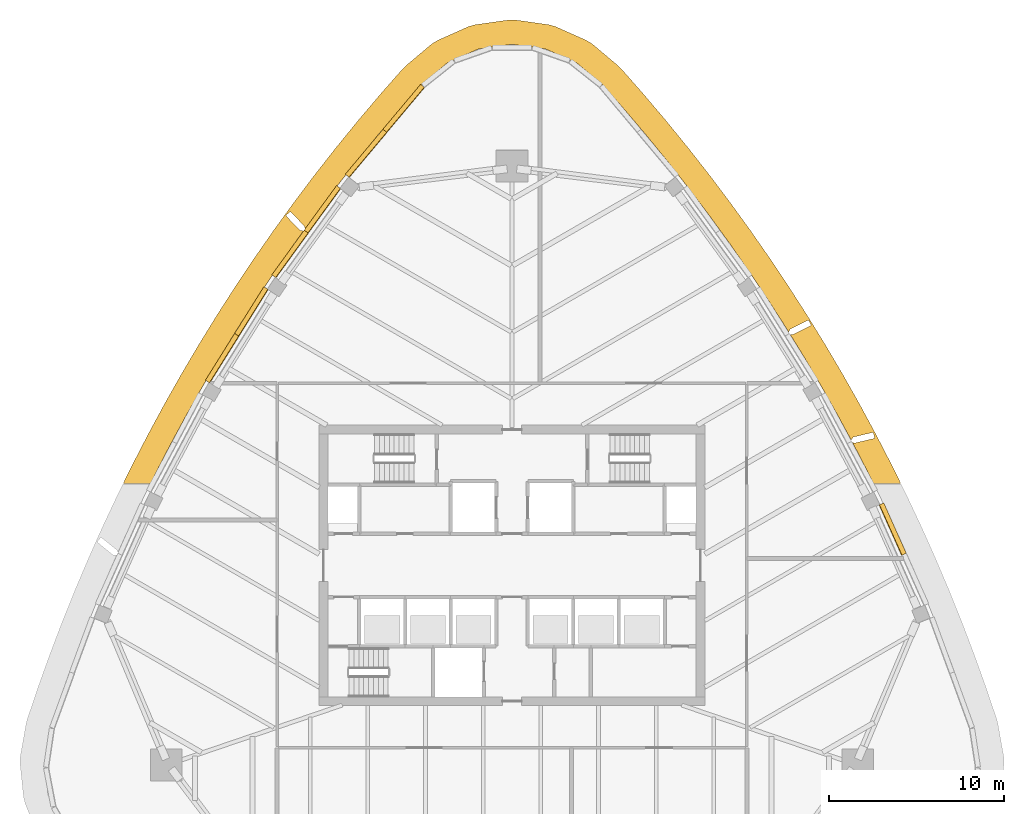
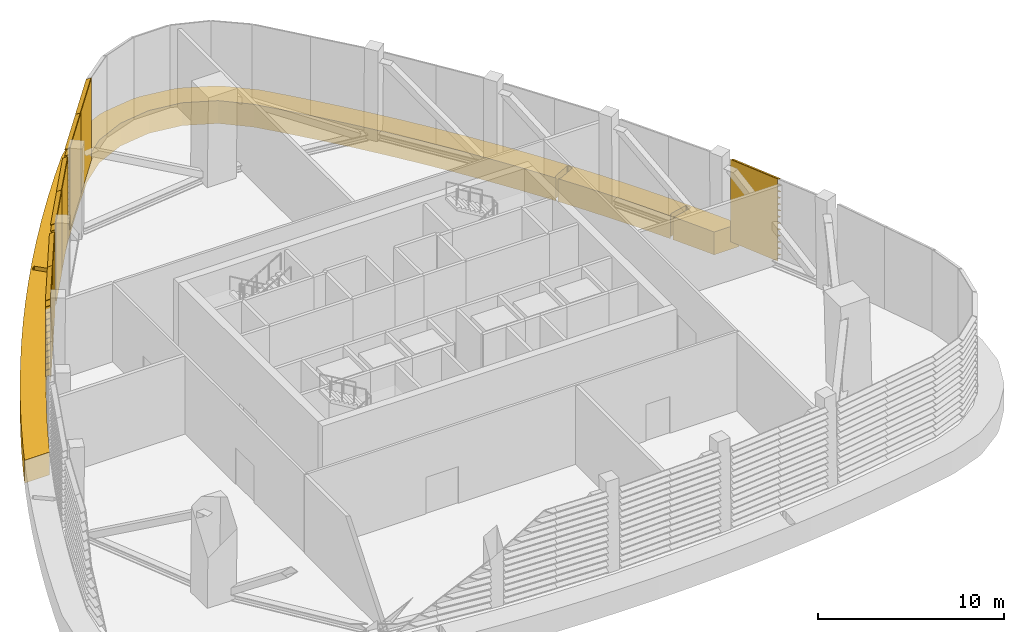
# One storey, part 12 of 15: 7 shading devices, 1 covering.
"""IFC4 building model written with IfcOpenShell, lengths in metres."""

from ifc_helpers import new_model, si_unit, direction, frame, origin, place, context, subcontext, project, spatial, polyline, outline, extrude, material, layer, layer_set, type_object, element, save


model = new_model("IFC4")

# Units and contexts
model_context = context("Model", 3, precision=1e-05, world=origin(), true_north=direction((0.0, 1.0)))
body_context = subcontext(model_context, "Body", "Model", "MODEL_VIEW")
ifc_project = project(units=[si_unit("LENGTHUNIT", "METRE"), si_unit("AREAUNIT", "SQUARE_METRE"), si_unit("VOLUMEUNIT", "CUBIC_METRE"), si_unit("PLANEANGLEUNIT", "RADIAN"), si_unit("MASSUNIT", "GRAM", prefix="KILO")], contexts=[model_context])

# Site, building, storey
site_placement = place(None, origin())
site = spatial("IfcSite", under=ifc_project, at=site_placement, CompositionType="ELEMENT")
building_placement = place(site_placement, origin())
building = spatial("IfcBuilding", under=site, at=building_placement, Name="Sierra Prisma Convention Tower", CompositionType="ELEMENT")
storey_placement = place(building_placement, frame((0.0, 0.0, 324.39990234375)))
storey = spatial("IfcBuildingStorey", under=building, at=storey_placement, Name="L74", CompositionType="ELEMENT", Elevation=324.39990234375)

# Covering
ifc_material_1 = material(Name="Aluminium composite bronze anodised", Category="aluminium")
ifc_layer = layer(ifc_material_1, 1.39990234375)
ifc_layer_set = layer_set([ifc_layer], Name="Bronze belt mass")
covering_type = type_object("IfcCoveringType", Name="Bronze belt mass", PredefinedType="CLADDING", material=ifc_layer_set)
covering_placement = place(storey_placement, frame((0.0, 0.0, -1.5)))
element("IfcCovering", 1, at=covering_placement, inside=storey, type_object=covering_type, Name="Belt mass lower L74.2", PredefinedType="CLADDING", context=body_context, shape_type="SweptSolid", body=[
    extrude(outline(polyline([(-21.678466796875, 5.69970703125), (-21.66650390625, 5.72314453125), (-20.77783203125, 7.4453125), (-20.765380859375, 7.46875), (-19.844482421875, 9.173828125), (-19.83154296875, 9.197021484375), (-18.87841796875, 10.88427734375), (-18.865234375, 10.906982421875), (-17.880615234375, 12.576171875), (-17.866943359375, 12.598876953125), (-16.850830078125, 14.2490234375), (-16.8369140625, 14.271484375), (-15.789794921875, 15.902099609375), (-15.775390625, 15.92431640625), (-14.69775390625, 17.534912109375), (-14.682861328125, 17.556884765625), (-13.5751953125, 19.14697265625), (-13.559814453125, 19.16845703125), (-12.422119140625, 20.7373046875), (-12.406494140625, 20.7587890625), (-11.239501953125, 22.305908203125), (-11.223388671875, 22.326904296875), (-10.027587890625, 23.851806640625), (-10.010986328125, 23.872314453125), (-8.78662109375, 25.37451171875), (-8.769775390625, 25.394775390625), (-7.51708984375, 26.87353515625), (-7.5, 26.8935546875), (-6.2197265625, 28.348388671875), (-6.0703125, 28.49462890625), (-4.588623046875, 29.7421875), (-4.257568359375, 29.949462890625), (-2.48876953125, 30.739013671875), (-2.11328125, 30.84716796875), (-0.1953125, 31.1171875), (0.1953125, 31.1171875), (2.11328125, 30.84716796875), (2.48876953125, 30.739013671875), (4.257568359375, 29.949462890625), (4.588623046875, 29.7421875), (6.0703125, 28.49462890625), (6.2197265625, 28.348388671875), (7.5, 26.8935546875), (7.51708984375, 26.87353515625), (8.769775390625, 25.394775390625), (8.78662109375, 25.37451171875), (10.010986328125, 23.872314453125), (10.027587890625, 23.851806640625), (11.223388671875, 22.326904296875), (11.239501953125, 22.305908203125), (12.406494140625, 20.7587890625), (12.422119140625, 20.7373046875), (13.559814453125, 19.16845703125), (13.5751953125, 19.14697265625), (14.682861328125, 17.556884765625), (14.69775390625, 17.534912109375), (15.775390625, 15.92431640625), (15.789794921875, 15.902099609375), (16.8369140625, 14.271484375), (16.850830078125, 14.2490234375), (17.866943359375, 12.598876953125), (17.880615234375, 12.576171875), (18.865234375, 10.906982421875), (18.87841796875, 10.88427734375), (19.83154296875, 9.197021484375), (19.844482421875, 9.173828125), (20.765380859375, 7.46875), (20.77783203125, 7.4453125), (21.66650390625, 5.72314453125), (21.678466796875, 5.69970703125), (22.18408203125, 4.673095703125), (20.62353515625, 4.673095703125), (20.422607421875, 5.081298828125), (19.53369140625, 6.80322265625), (19.417236328125, 7.018798828125), (19.4208984375, 7.01611328125), (19.42529296875, 7.013671875), (19.4296875, 7.01171875), (19.434326171875, 7.010009765625), (19.439208984375, 7.0087890625), (19.5498046875, 6.98828125), (19.55517578125, 6.987548828125), (19.560302734375, 6.987548828125), (19.5654296875, 6.98779296875), (19.570556640625, 6.98876953125), (20.640625, 7.243408203125), (20.6455078125, 7.24462890625), (20.64990234375, 7.24658203125), (20.654296875, 7.248779296875), (20.658447265625, 7.25146484375), (20.662353515625, 7.25439453125), (20.665771484375, 7.258056640625), (20.6689453125, 7.26171875), (20.671630859375, 7.265869140625), (20.674072265625, 7.27001953125), (20.676025390625, 7.274658203125), (20.677490234375, 7.279296875), (20.678466796875, 7.2841796875), (20.67919921875, 7.288818359375), (20.67919921875, 7.293701171875), (20.6787109375, 7.298583984375), (20.677734375, 7.3037109375), (20.6201171875, 7.546875), (20.61865234375, 7.551513671875), (20.61669921875, 7.555908203125), (20.614501953125, 7.560302734375), (20.61181640625, 7.564453125), (20.60888671875, 7.568359375), (20.605224609375, 7.57177734375), (20.6015625, 7.574951171875), (20.597412109375, 7.577880859375), (20.59326171875, 7.580078125), (20.588623046875, 7.58203125), (20.583984375, 7.58349609375), (20.5791015625, 7.584716796875), (20.574462890625, 7.585205078125), (20.569580078125, 7.585205078125), (20.564697265625, 7.584716796875), (20.559814453125, 7.583740234375), (19.489501953125, 7.329345703125), (19.48486328125, 7.327880859375), (19.480224609375, 7.325927734375), (19.475830078125, 7.32373046875), (19.4716796875, 7.321044921875), (19.4677734375, 7.31787109375), (19.46435546875, 7.314453125), (19.461181640625, 7.310546875), (19.360595703125, 7.17578125), (19.35791015625, 7.172119140625), (19.355712890625, 7.167724609375), (19.35400390625, 7.16357421875), (19.3525390625, 7.158935546875), (19.3515625, 7.154296875), (19.350830078125, 7.149658203125), (19.350830078125, 7.14501953125), (19.35107421875, 7.1416015625), (18.612548828125, 8.50830078125), (17.659423828125, 10.19580078125), (16.6748046875, 11.86474609375), (15.860107421875, 13.187744140625), (15.863525390625, 13.185546875), (15.867919921875, 13.183349609375), (15.872314453125, 13.181396484375), (15.876953125, 13.179931640625), (15.8818359375, 13.17919921875), (15.88671875, 13.1787109375), (16.0185546875, 13.17236328125), (16.023681640625, 13.17236328125), (16.02880859375, 13.173095703125), (16.03369140625, 13.174072265625), (16.038818359375, 13.175537109375), (16.043212890625, 13.177490234375), (17.026611328125, 13.67041015625), (17.031005859375, 13.6728515625), (17.034912109375, 13.67578125), (17.038818359375, 13.678955078125), (17.0419921875, 13.6826171875), (17.045166015625, 13.686279296875), (17.0478515625, 13.6904296875), (17.050048828125, 13.69482421875), (17.0517578125, 13.699462890625), (17.052978515625, 13.7041015625), (17.053955078125, 13.708984375), (17.05419921875, 13.7138671875), (17.05419921875, 13.71875), (17.0537109375, 13.7236328125), (17.052490234375, 13.728515625), (17.051025390625, 13.733154296875), (17.049072265625, 13.737548828125), (16.93701171875, 13.961181640625), (16.9345703125, 13.96533203125), (16.931884765625, 13.969482421875), (16.9287109375, 13.97314453125), (16.925048828125, 13.9765625), (16.921142578125, 13.9794921875), (16.9169921875, 13.982177734375), (16.91259765625, 13.984375), (16.908203125, 13.986083984375), (16.9033203125, 13.987548828125), (16.8984375, 13.98828125), (16.8935546875, 13.98876953125), (16.888671875, 13.988525390625), (16.8837890625, 13.988037109375), (16.879150390625, 13.98681640625), (16.87451171875, 13.9853515625), (16.869873046875, 13.9833984375), (15.886474609375, 13.490478515625), (15.882080078125, 13.488037109375), (15.8779296875, 13.485107421875), (15.874267578125, 13.481689453125), (15.870849609375, 13.478271484375), (15.86767578125, 13.47412109375), (15.864990234375, 13.469970703125), (15.792724609375, 13.337890625), (15.79052734375, 13.33349609375), (15.788818359375, 13.3291015625), (15.78759765625, 13.324462890625), (15.786865234375, 13.319580078125), (15.78662109375, 13.31494140625), (15.78662109375, 13.31005859375), (15.787109375, 13.306396484375), (15.65869140625, 13.514892578125), (14.61181640625, 15.145751953125), (13.5341796875, 16.756591796875), (12.426513671875, 18.3466796875), (11.288818359375, 19.915771484375), (10.121826171875, 21.462890625), (8.926025390625, 22.98779296875), (7.701416015625, 24.489990234375), (6.448974609375, 25.96875), (5.168701171875, 27.423583984375), (3.68701171875, 28.671142578125), (1.918212890625, 29.460693359375), (0.0, 29.73095703125), (-1.918212890625, 29.460693359375), (-3.68701171875, 28.671142578125), (-5.168701171875, 27.423583984375), (-6.448974609375, 25.96875), (-7.701416015625, 24.489990234375), (-8.926025390625, 22.98779296875), (-10.121826171875, 21.462890625), (-11.288818359375, 19.915771484375), (-11.80615234375, 19.2021484375), (-11.804931640625, 19.205322265625), (-11.803466796875, 19.210205078125), (-11.802734375, 19.21533203125), (-11.802490234375, 19.220703125), (-11.802490234375, 19.225830078125), (-11.803466796875, 19.23095703125), (-11.8046875, 19.23583984375), (-11.84130859375, 19.352783203125), (-11.843017578125, 19.357177734375), (-11.844970703125, 19.361328125), (-11.847412109375, 19.365234375), (-11.85009765625, 19.369140625), (-11.85302734375, 19.37255859375), (-12.6181640625, 20.1630859375), (-12.62158203125, 20.16650390625), (-12.62548828125, 20.16943359375), (-12.629638671875, 20.172119140625), (-12.634033203125, 20.174072265625), (-12.638671875, 20.17578125), (-12.6435546875, 20.177001953125), (-12.648193359375, 20.177978515625), (-12.6533203125, 20.17822265625), (-12.658203125, 20.177978515625), (-12.6630859375, 20.177490234375), (-12.667724609375, 20.17626953125), (-12.67236328125, 20.1748046875), (-12.677001953125, 20.172607421875), (-12.68115234375, 20.17041015625), (-12.68505859375, 20.16748046875), (-12.688720703125, 20.164306640625), (-12.868408203125, 19.990234375), (-12.871826171875, 19.98681640625), (-12.874755859375, 19.98291015625), (-12.87744140625, 19.978759765625), (-12.87939453125, 19.974365234375), (-12.88134765625, 19.9697265625), (-12.882568359375, 19.965087890625), (-12.88330078125, 19.960205078125), (-12.8837890625, 19.955078125), (-12.883544921875, 19.9501953125), (-12.8828125, 19.945556640625), (-12.881591796875, 19.940673828125), (-12.880126953125, 19.93603515625), (-12.878173828125, 19.931640625), (-12.875732421875, 19.92724609375), (-12.872802734375, 19.92333984375), (-12.86962890625, 19.919677734375), (-12.1044921875, 19.129150390625), (-12.101318359375, 19.1259765625), (-12.09765625, 19.123046875), (-12.09375, 19.12060546875), (-12.089599609375, 19.118408203125), (-12.085205078125, 19.11669921875), (-12.080810546875, 19.115478515625), (-12.076171875, 19.114501953125), (-11.918701171875, 19.090576171875), (-11.913818359375, 19.090087890625), (-11.90869140625, 19.090087890625), (-11.90380859375, 19.090576171875), (-11.89892578125, 19.091552734375), (-11.89404296875, 19.093017578125), (-11.889404296875, 19.0947265625), (-11.885009765625, 19.09716796875), (-11.881103515625, 19.10009765625), (-11.87890625, 19.101806640625), (-12.426513671875, 18.3466796875), (-13.5341796875, 16.756591796875), (-14.61181640625, 15.145751953125), (-15.65869140625, 13.514892578125), (-16.6748046875, 11.86474609375), (-17.659423828125, 10.19580078125), (-18.612548828125, 8.50830078125), (-19.53369140625, 6.80322265625), (-20.422607421875, 5.081298828125), (-20.62353515625, 4.673095703125), (-22.18408203125, 4.673095703125), (-21.678466796875, 5.69970703125)])), origin(), (0.0, 0.0, 1.0), 1.5),
])

# Shading devices
ifc_material_2 = material(Name="Aluminium 6063-T6 bronze anodised", Category="aluminium")
shading_device_type = type_object("IfcShadingDeviceType", Name="Louvre bay bronze", PredefinedType="USERDEFINED", material=ifc_material_2)
shading_device_1_placement = place(storey_placement, frame((22.216796875, 0.578369140625, 0.0), z_axis=(0.40768269661, -0.913123660237, 0.0), x_axis=(0.0, 0.0, 1.0)))
element("IfcShadingDevice", 2, at=shading_device_1_placement, inside=storey, type_object=shading_device_type, Name="Louvre L74 NE2.2", ObjectType="LOUVRE", PredefinedType="USERDEFINED", context=body_context, shape_type="SweptSolid", body=[
    extrude(outline(polyline([(0.0, 0.0), (5.400146484375, 0.0), (5.400146484375, -0.029944820502210735), (5.380126953125, -0.029944820502210735), (5.260009765625, -0.29999359809268455), (5.22998046875, -0.29999359809268455), (5.35009765625, -0.029944820502210735), (4.984619140625, -0.029944820502210735), (4.964599609375, -0.029944820502210735), (4.8447265625, -0.29999359809268455), (4.814697265625, -0.29999359809268455), (4.934814453125, -0.029944820502210735), (4.5693359375, -0.029944820502210735), (4.54931640625, -0.029944820502210735), (4.429443359375, -0.29999359809268455), (4.3994140625, -0.29999359809268455), (4.519287109375, -0.029944820502210735), (4.154052734375, -0.029944820502210735), (4.134033203125, -0.029944820502210735), (4.013916015625, -0.29999359809268455), (3.98388671875, -0.29999359809268455), (4.10400390625, -0.029944820502210735), (3.738525390625, -0.029944820502210735), (3.718505859375, -0.029944820502210735), (3.5986328125, -0.29999359809268455), (3.568603515625, -0.29999359809268455), (3.6884765625, -0.029944820502210735), (3.3232421875, -0.029944820502210735), (3.30322265625, -0.029944820502210735), (3.18310546875, -0.29999359809268455), (3.153076171875, -0.29999359809268455), (3.273193359375, -0.029944820502210735), (2.90771484375, -0.029944820502210735), (2.8876953125, -0.029944820502210735), (2.767822265625, -0.29999359809268455), (2.73779296875, -0.29999359809268455), (2.85791015625, -0.029944820502210735), (2.492431640625, -0.029944820502210735), (2.472412109375, -0.029944820502210735), (2.352294921875, -0.29999359809268455), (2.322509765625, -0.29999359809268455), (2.4423828125, -0.029944820502210735), (2.076904296875, -0.029944820502210735), (2.05712890625, -0.029944820502210735), (1.93701171875, -0.29999359809268455), (1.906982421875, -0.29999359809268455), (2.027099609375, -0.029944820502210735), (1.66162109375, -0.029944820502210735), (1.6416015625, -0.029944820502210735), (1.521728515625, -0.29999359809268455), (1.49169921875, -0.29999359809268455), (1.611572265625, -0.029944820502210735), (1.246337890625, -0.029944820502210735), (1.226318359375, -0.029944820502210735), (1.106201171875, -0.29999359809268455), (1.076171875, -0.29999359809268455), (1.1962890625, -0.029944820502210735), (0.830810546875, -0.029944820502210735), (0.810791015625, -0.029944820502210735), (0.69091796875, -0.29999359809268455), (0.660888671875, -0.29999359809268455), (0.78076171875, -0.029944820502210735), (0.41552734375, -0.029944820502210735), (0.3955078125, -0.029944820502210735), (0.275390625, -0.29999359809268455), (0.245361328125, -0.29999359809268455), (0.365478515625, -0.029944820502210735), (0.0, -0.029944820502210735), (0.0, 0.0)])), origin(), (0.0, 0.0, -1.0), 3.1435546875),
])
shading_device_2_placement = place(storey_placement, frame((-4.982666015625, 27.256591796875, 0.0), z_axis=(0.64282299384, 0.766014750896, 0.0), x_axis=(0.0, 0.0, 1.0)))
element("IfcShadingDevice", 3, at=shading_device_2_placement, inside=storey, type_object=shading_device_type, Name="Louvre L74 NW1.1", ObjectType="LOUVRE", PredefinedType="USERDEFINED", context=body_context, shape_type="SweptSolid", body=[
    extrude(outline(polyline([(0.0, 0.0), (5.400146484375, 0.0), (5.400146484375, -0.029977637475000866), (5.380126953125, -0.029977637475000866), (5.260009765625, -0.2999934661826142), (5.22998046875, -0.2999934661826142), (5.35009765625, -0.029977637475000866), (4.984619140625, -0.029977637475000866), (4.964599609375, -0.029977637475000866), (4.8447265625, -0.2999934661826142), (4.814697265625, -0.2999934661826142), (4.934814453125, -0.029977637475000866), (4.5693359375, -0.029977637475000866), (4.54931640625, -0.029977637475000866), (4.429443359375, -0.2999934661826142), (4.3994140625, -0.2999934661826142), (4.519287109375, -0.029977637475000866), (4.154052734375, -0.029977637475000866), (4.134033203125, -0.029977637475000866), (4.013916015625, -0.2999934661826142), (3.98388671875, -0.2999934661826142), (4.10400390625, -0.029977637475000866), (3.738525390625, -0.029977637475000866), (3.718505859375, -0.029977637475000866), (3.5986328125, -0.2999934661826142), (3.568603515625, -0.2999934661826142), (3.6884765625, -0.029977637475000866), (3.3232421875, -0.029977637475000866), (3.30322265625, -0.029977637475000866), (3.18310546875, -0.2999934661826142), (3.153076171875, -0.2999934661826142), (3.273193359375, -0.029977637475000866), (2.90771484375, -0.029977637475000866), (2.8876953125, -0.029977637475000866), (2.767822265625, -0.2999934661826142), (2.73779296875, -0.2999934661826142), (2.85791015625, -0.029977637475000866), (2.492431640625, -0.029977637475000866), (2.472412109375, -0.029977637475000866), (2.352294921875, -0.2999934661826142), (2.322509765625, -0.2999934661826142), (2.4423828125, -0.029977637475000866), (2.076904296875, -0.029977637475000866), (2.05712890625, -0.029977637475000866), (1.93701171875, -0.2999934661826142), (1.906982421875, -0.2999934661826142), (2.027099609375, -0.029977637475000866), (1.66162109375, -0.029977637475000866), (1.6416015625, -0.029977637475000866), (1.521728515625, -0.2999934661826142), (1.49169921875, -0.2999934661826142), (1.611572265625, -0.029977637475000866), (1.246337890625, -0.029977637475000866), (1.226318359375, -0.029977637475000866), (1.106201171875, -0.2999934661826142), (1.076171875, -0.2999934661826142), (1.1962890625, -0.029977637475000866), (0.830810546875, -0.029977637475000866), (0.810791015625, -0.029977637475000866), (0.69091796875, -0.2999934661826142), (0.660888671875, -0.2999934661826142), (0.78076171875, -0.029977637475000866), (0.41552734375, -0.029977637475000866), (0.3955078125, -0.029977637475000866), (0.275390625, -0.2999934661826142), (0.245361328125, -0.2999934661826142), (0.365478515625, -0.029977637475000866), (0.0, -0.029977637475000866), (0.0, 0.0)])), origin(), (0.0, 0.0, -1.0), 3.343505859375),
])
shading_device_3_placement = place(storey_placement, frame((-7.127685546875, 24.691650390625, 0.0), z_axis=(0.64282299384, 0.766014750896, 0.0), x_axis=(0.0, 0.0, 1.0)))
element("IfcShadingDevice", 4, at=shading_device_3_placement, inside=storey, type_object=shading_device_type, Name="Louvre L74 NW1.2", ObjectType="LOUVRE", PredefinedType="USERDEFINED", context=body_context, shape_type="SweptSolid", body=[
    extrude(outline(polyline([(0.0, 0.0), (5.400146484375, 0.0), (5.400146484375, -0.029977637475000866), (5.380126953125, -0.029977637475000866), (5.260009765625, -0.2999934661826142), (5.22998046875, -0.2999934661826142), (5.35009765625, -0.029977637475000866), (4.984619140625, -0.029977637475000866), (4.964599609375, -0.029977637475000866), (4.8447265625, -0.2999934661826142), (4.814697265625, -0.2999934661826142), (4.934814453125, -0.029977637475000866), (4.5693359375, -0.029977637475000866), (4.54931640625, -0.029977637475000866), (4.429443359375, -0.2999934661826142), (4.3994140625, -0.2999934661826142), (4.519287109375, -0.029977637475000866), (4.154052734375, -0.029977637475000866), (4.134033203125, -0.029977637475000866), (4.013916015625, -0.2999934661826142), (3.98388671875, -0.2999934661826142), (4.10400390625, -0.029977637475000866), (3.738525390625, -0.029977637475000866), (3.718505859375, -0.029977637475000866), (3.5986328125, -0.2999934661826142), (3.568603515625, -0.2999934661826142), (3.6884765625, -0.029977637475000866), (3.3232421875, -0.029977637475000866), (3.30322265625, -0.029977637475000866), (3.18310546875, -0.2999934661826142), (3.153076171875, -0.2999934661826142), (3.273193359375, -0.029977637475000866), (2.90771484375, -0.029977637475000866), (2.8876953125, -0.029977637475000866), (2.767822265625, -0.2999934661826142), (2.73779296875, -0.2999934661826142), (2.85791015625, -0.029977637475000866), (2.492431640625, -0.029977637475000866), (2.472412109375, -0.029977637475000866), (2.352294921875, -0.2999934661826142), (2.322509765625, -0.2999934661826142), (2.4423828125, -0.029977637475000866), (2.076904296875, -0.029977637475000866), (2.05712890625, -0.029977637475000866), (1.93701171875, -0.2999934661826142), (1.906982421875, -0.2999934661826142), (2.027099609375, -0.029977637475000866), (1.66162109375, -0.029977637475000866), (1.6416015625, -0.029977637475000866), (1.521728515625, -0.2999934661826142), (1.49169921875, -0.2999934661826142), (1.611572265625, -0.029977637475000866), (1.246337890625, -0.029977637475000866), (1.226318359375, -0.029977637475000866), (1.106201171875, -0.2999934661826142), (1.076171875, -0.2999934661826142), (1.1962890625, -0.029977637475000866), (0.830810546875, -0.029977637475000866), (0.810791015625, -0.029977637475000866), (0.69091796875, -0.2999934661826142), (0.660888671875, -0.2999934661826142), (0.78076171875, -0.029977637475000866), (0.41552734375, -0.029977637475000866), (0.3955078125, -0.029977637475000866), (0.275390625, -0.2999934661826142), (0.245361328125, -0.2999934661826142), (0.365478515625, -0.029977637475000866), (0.0, -0.029977637475000866), (0.0, 0.0)])), origin(), (0.0, 0.0, -1.0), 3.343505859375),
])
shading_device_4_placement = place(storey_placement, frame((-9.763916015625, 21.49609375, 0.0), z_axis=(0.588604683711, 0.808421008086, 0.0), x_axis=(0.0, 0.0, 1.0)))
element("IfcShadingDevice", 5, at=shading_device_4_placement, inside=storey, type_object=shading_device_type, Name="Louvre L74 NW2.1", ObjectType="LOUVRE", PredefinedType="USERDEFINED", context=body_context, shape_type="SweptSolid", body=[
    extrude(outline(polyline([(0.0, 0.0), (5.400146484375, 0.0), (5.400146484375, -0.030227110038921347), (5.380126953125, -0.030227110038921347), (5.260009765625, -0.30013463981545574), (5.22998046875, -0.30013463981545574), (5.35009765625, -0.030227110038921347), (4.984619140625, -0.030227110038921347), (4.964599609375, -0.030227110038921347), (4.8447265625, -0.30013463981545574), (4.814697265625, -0.30013463981545574), (4.934814453125, -0.030227110038921347), (4.5693359375, -0.030227110038921347), (4.54931640625, -0.030227110038921347), (4.429443359375, -0.30013463981545574), (4.3994140625, -0.30013463981545574), (4.519287109375, -0.030227110038921347), (4.154052734375, -0.030227110038921347), (4.134033203125, -0.030227110038921347), (4.013916015625, -0.30013463981545574), (3.98388671875, -0.30013463981545574), (4.10400390625, -0.030227110038921347), (3.738525390625, -0.030227110038921347), (3.718505859375, -0.030227110038921347), (3.5986328125, -0.30013463981545574), (3.568603515625, -0.30013463981545574), (3.6884765625, -0.030227110038921347), (3.3232421875, -0.030227110038921347), (3.30322265625, -0.030227110038921347), (3.18310546875, -0.30013463981545574), (3.153076171875, -0.30013463981545574), (3.273193359375, -0.030227110038921347), (2.90771484375, -0.030227110038921347), (2.8876953125, -0.030227110038921347), (2.767822265625, -0.30013463981545574), (2.73779296875, -0.30013463981545574), (2.85791015625, -0.030227110038921347), (2.492431640625, -0.030227110038921347), (2.472412109375, -0.030227110038921347), (2.352294921875, -0.30013463981545574), (2.322509765625, -0.30013463981545574), (2.4423828125, -0.030227110038921347), (2.076904296875, -0.030227110038921347), (2.05712890625, -0.030227110038921347), (1.93701171875, -0.30013463981545574), (1.906982421875, -0.30013463981545574), (2.027099609375, -0.030227110038921347), (1.66162109375, -0.030227110038921347), (1.6416015625, -0.030227110038921347), (1.521728515625, -0.30013463981545574), (1.49169921875, -0.30013463981545574), (1.611572265625, -0.030227110038921347), (1.246337890625, -0.030227110038921347), (1.226318359375, -0.030227110038921347), (1.106201171875, -0.30013463981545574), (1.076171875, -0.30013463981545574), (1.1962890625, -0.030227110038921347), (0.830810546875, -0.030227110038921347), (0.810791015625, -0.030227110038921347), (0.69091796875, -0.30013463981545574), (0.660888671875, -0.30013463981545574), (0.78076171875, -0.030227110038921347), (0.41552734375, -0.030227110038921347), (0.3955078125, -0.030227110038921347), (0.275390625, -0.30013463981545574), (0.245361328125, -0.30013463981545574), (0.365478515625, -0.030227110038921347), (0.0, -0.030227110038921347), (0.0, 0.0)])), origin(), (0.0, 0.0, -1.0), 3.1435546875),
])
shading_device_5_placement = place(storey_placement, frame((-11.609375, 18.951171875, 0.0), z_axis=(0.58772573837, 0.809060230426, 0.0), x_axis=(0.0, 0.0, 1.0)))
element("IfcShadingDevice", 6, at=shading_device_5_placement, inside=storey, type_object=shading_device_type, Name="Louvre L74 NW2.2", ObjectType="LOUVRE", PredefinedType="USERDEFINED", context=body_context, shape_type="SweptSolid", body=[
    extrude(outline(polyline([(0.0, 0.0), (5.400146484375, 0.0), (5.400146484375, -0.029886039056358032), (5.380126953125, -0.029886039056358032), (5.260009765625, -0.2997939761739502), (5.22998046875, -0.2997939761739502), (5.35009765625, -0.029886039056358032), (4.984619140625, -0.029886039056358032), (4.964599609375, -0.029886039056358032), (4.8447265625, -0.2997939761739502), (4.814697265625, -0.2997939761739502), (4.934814453125, -0.029886039056358032), (4.5693359375, -0.029886039056358032), (4.54931640625, -0.029886039056358032), (4.429443359375, -0.2997939761739502), (4.3994140625, -0.2997939761739502), (4.519287109375, -0.029886039056358032), (4.154052734375, -0.029886039056358032), (4.134033203125, -0.029886039056358032), (4.013916015625, -0.2997939761739502), (3.98388671875, -0.2997939761739502), (4.10400390625, -0.029886039056358032), (3.738525390625, -0.029886039056358032), (3.718505859375, -0.029886039056358032), (3.5986328125, -0.2997939761739502), (3.568603515625, -0.2997939761739502), (3.6884765625, -0.029886039056358032), (3.3232421875, -0.029886039056358032), (3.30322265625, -0.029886039056358032), (3.18310546875, -0.2997939761739502), (3.153076171875, -0.2997939761739502), (3.273193359375, -0.029886039056358032), (2.90771484375, -0.029886039056358032), (2.8876953125, -0.029886039056358032), (2.767822265625, -0.2997939761739502), (2.73779296875, -0.2997939761739502), (2.85791015625, -0.029886039056358032), (2.492431640625, -0.029886039056358032), (2.472412109375, -0.029886039056358032), (2.352294921875, -0.2997939761739502), (2.322509765625, -0.2997939761739502), (2.4423828125, -0.029886039056358032), (2.076904296875, -0.029886039056358032), (2.05712890625, -0.029886039056358032), (1.93701171875, -0.2997939761739502), (1.906982421875, -0.2997939761739502), (2.027099609375, -0.029886039056358032), (1.66162109375, -0.029886039056358032), (1.6416015625, -0.029886039056358032), (1.521728515625, -0.2997939761739502), (1.49169921875, -0.2997939761739502), (1.611572265625, -0.029886039056358032), (1.246337890625, -0.029886039056358032), (1.226318359375, -0.029886039056358032), (1.106201171875, -0.2997939761739502), (1.076171875, -0.2997939761739502), (1.1962890625, -0.029886039056358032), (0.830810546875, -0.029886039056358032), (0.810791015625, -0.029886039056358032), (0.69091796875, -0.2997939761739502), (0.660888671875, -0.2997939761739502), (0.78076171875, -0.029886039056358032), (0.41552734375, -0.029886039056358032), (0.3955078125, -0.029886039056358032), (0.275390625, -0.2997939761739502), (0.245361328125, -0.2997939761739502), (0.365478515625, -0.029886039056358032), (0.0, -0.029886039056358032), (0.0, 0.0)])), origin(), (0.0, 0.0, -1.0), 3.1435546875),
])
shading_device_6_placement = place(storey_placement, frame((-13.901123046875, 15.742919921875, 0.0), z_axis=(0.52977459883, 0.848138475978, 0.0), x_axis=(0.0, 0.0, 1.0)))
element("IfcShadingDevice", 7, at=shading_device_6_placement, inside=storey, type_object=shading_device_type, Name="Louvre L74 NW3.1", ObjectType="LOUVRE", PredefinedType="USERDEFINED", context=body_context, shape_type="SweptSolid", body=[
    extrude(outline(polyline([(0.0, 0.0), (5.400146484375, 0.0), (5.400146484375, -0.02994183360001855), (5.380126953125, -0.02994183360001855), (5.260009765625, -0.3001688706746885), (5.22998046875, -0.3001688706746885), (5.35009765625, -0.02994183360001855), (4.984619140625, -0.02994183360001855), (4.964599609375, -0.02994183360001855), (4.8447265625, -0.3001688706746885), (4.814697265625, -0.3001688706746885), (4.934814453125, -0.02994183360001855), (4.5693359375, -0.02994183360001855), (4.54931640625, -0.02994183360001855), (4.429443359375, -0.3001688706746885), (4.3994140625, -0.3001688706746885), (4.519287109375, -0.02994183360001855), (4.154052734375, -0.02994183360001855), (4.134033203125, -0.02994183360001855), (4.013916015625, -0.3001688706746885), (3.98388671875, -0.3001688706746885), (4.10400390625, -0.02994183360001855), (3.738525390625, -0.02994183360001855), (3.718505859375, -0.02994183360001855), (3.5986328125, -0.3001688706746885), (3.568603515625, -0.3001688706746885), (3.6884765625, -0.02994183360001855), (3.3232421875, -0.02994183360001855), (3.30322265625, -0.02994183360001855), (3.18310546875, -0.3001688706746885), (3.153076171875, -0.3001688706746885), (3.273193359375, -0.02994183360001855), (2.90771484375, -0.02994183360001855), (2.8876953125, -0.02994183360001855), (2.767822265625, -0.3001688706746885), (2.73779296875, -0.3001688706746885), (2.85791015625, -0.02994183360001855), (2.492431640625, -0.02994183360001855), (2.472412109375, -0.02994183360001855), (2.352294921875, -0.3001688706746885), (2.322509765625, -0.3001688706746885), (2.4423828125, -0.02994183360001855), (2.076904296875, -0.02994183360001855), (2.05712890625, -0.02994183360001855), (1.93701171875, -0.3001688706746885), (1.906982421875, -0.3001688706746885), (2.027099609375, -0.02994183360001855), (1.66162109375, -0.02994183360001855), (1.6416015625, -0.02994183360001855), (1.521728515625, -0.3001688706746885), (1.49169921875, -0.3001688706746885), (1.611572265625, -0.02994183360001855), (1.246337890625, -0.02994183360001855), (1.226318359375, -0.02994183360001855), (1.106201171875, -0.3001688706746885), (1.076171875, -0.3001688706746885), (1.1962890625, -0.02994183360001855), (0.830810546875, -0.02994183360001855), (0.810791015625, -0.02994183360001855), (0.69091796875, -0.3001688706746885), (0.660888671875, -0.3001688706746885), (0.78076171875, -0.02994183360001855), (0.41552734375, -0.02994183360001855), (0.3955078125, -0.02994183360001855), (0.275390625, -0.3001688706746885), (0.245361328125, -0.3001688706746885), (0.365478515625, -0.02994183360001855), (0.0, -0.02994183360001855), (0.0, 0.0)])), origin(), (0.0, 0.0, -1.0), 3.1435546875),
])
shading_device_7_placement = place(storey_placement, frame((-15.566162109375, 13.076416015625, 0.0), z_axis=(0.529934826924, 0.848038371309, 0.0), x_axis=(0.0, 0.0, 1.0)))
element("IfcShadingDevice", 8, at=shading_device_7_placement, inside=storey, type_object=shading_device_type, Name="Louvre L74 NW3.2", ObjectType="LOUVRE", PredefinedType="USERDEFINED", context=body_context, shape_type="SweptSolid", body=[
    extrude(outline(polyline([(0.0, 0.0), (5.400146484375, 0.0), (5.400146484375, -0.029941834562068684), (5.380126953125, -0.029941834562068684), (5.260009765625, -0.29996180547653223), (5.22998046875, -0.29996180547653223), (5.35009765625, -0.029941834562068684), (4.984619140625, -0.029941834562068684), (4.964599609375, -0.029941834562068684), (4.8447265625, -0.29996180547653223), (4.814697265625, -0.29996180547653223), (4.934814453125, -0.029941834562068684), (4.5693359375, -0.029941834562068684), (4.54931640625, -0.029941834562068684), (4.429443359375, -0.29996180547653223), (4.3994140625, -0.29996180547653223), (4.519287109375, -0.029941834562068684), (4.154052734375, -0.029941834562068684), (4.134033203125, -0.029941834562068684), (4.013916015625, -0.29996180547653223), (3.98388671875, -0.29996180547653223), (4.10400390625, -0.029941834562068684), (3.738525390625, -0.029941834562068684), (3.718505859375, -0.029941834562068684), (3.5986328125, -0.29996180547653223), (3.568603515625, -0.29996180547653223), (3.6884765625, -0.029941834562068684), (3.3232421875, -0.029941834562068684), (3.30322265625, -0.029941834562068684), (3.18310546875, -0.29996180547653223), (3.153076171875, -0.29996180547653223), (3.273193359375, -0.029941834562068684), (2.90771484375, -0.029941834562068684), (2.8876953125, -0.029941834562068684), (2.767822265625, -0.29996180547653223), (2.73779296875, -0.29996180547653223), (2.85791015625, -0.029941834562068684), (2.492431640625, -0.029941834562068684), (2.472412109375, -0.029941834562068684), (2.352294921875, -0.29996180547653223), (2.322509765625, -0.29996180547653223), (2.4423828125, -0.029941834562068684), (2.076904296875, -0.029941834562068684), (2.05712890625, -0.029941834562068684), (1.93701171875, -0.29996180547653223), (1.906982421875, -0.29996180547653223), (2.027099609375, -0.029941834562068684), (1.66162109375, -0.029941834562068684), (1.6416015625, -0.029941834562068684), (1.521728515625, -0.29996180547653223), (1.49169921875, -0.29996180547653223), (1.611572265625, -0.029941834562068684), (1.246337890625, -0.029941834562068684), (1.226318359375, -0.029941834562068684), (1.106201171875, -0.29996180547653223), (1.076171875, -0.29996180547653223), (1.1962890625, -0.029941834562068684), (0.830810546875, -0.029941834562068684), (0.810791015625, -0.029941834562068684), (0.69091796875, -0.29996180547653223), (0.660888671875, -0.29996180547653223), (0.78076171875, -0.029941834562068684), (0.41552734375, -0.029941834562068684), (0.3955078125, -0.029941834562068684), (0.275390625, -0.29996180547653223), (0.245361328125, -0.29996180547653223), (0.365478515625, -0.029941834562068684), (0.0, -0.029941834562068684), (0.0, 0.0)])), origin(), (0.0, 0.0, -1.0), 3.1435546875),
])

save(model, "model.ifc")
